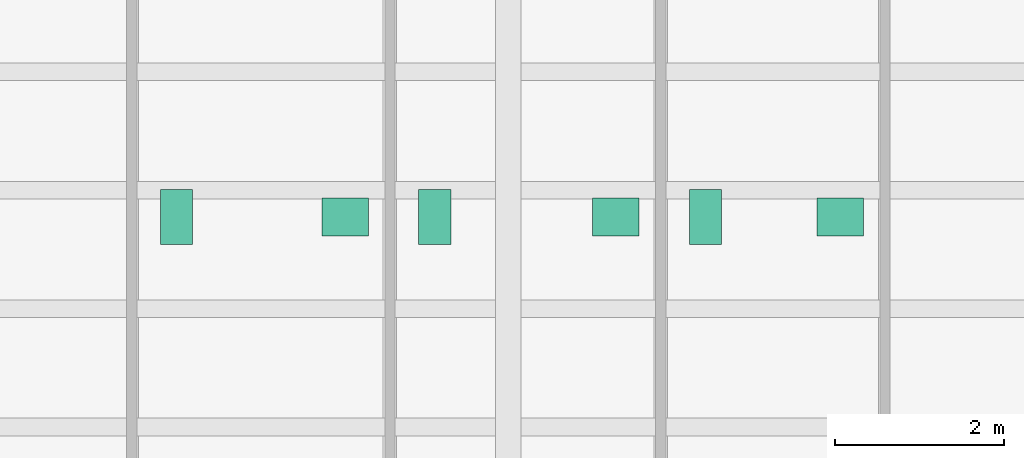
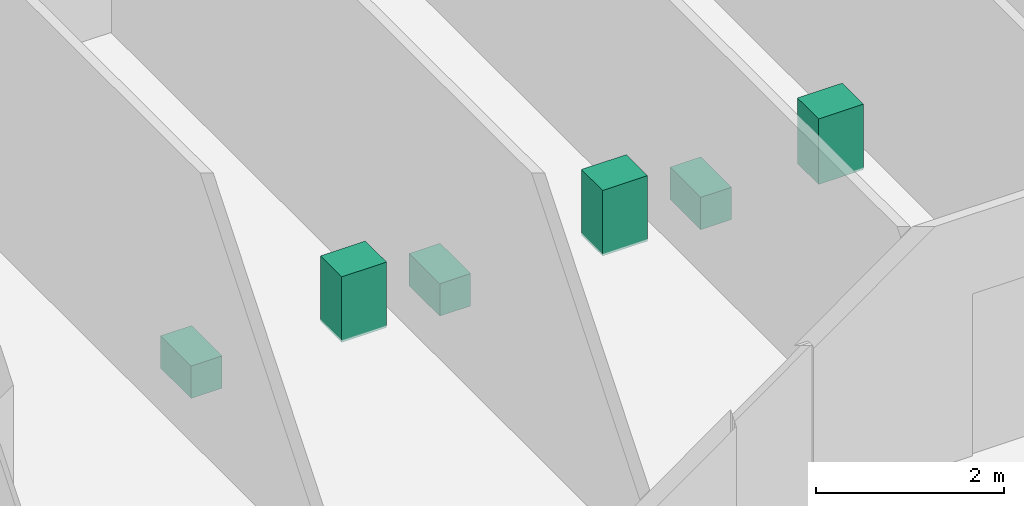
# One storey, part 11 of 11: 6 sanitary terminals.
"""IFC4 building model written with IfcOpenShell, lengths in metres."""

from ifc_helpers import new_model, si_unit, direction, frame, origin, origin_2d, place, context, subcontext, project, spatial, rectangle, extrude, material, type_object, element, save


model = new_model("IFC4")

# Units and contexts
model_context = context("Model", 3, precision=1e-05, world=origin(), true_north=direction((0.0, 1.0)))
body_context = subcontext(model_context, "Body", "Model", "MODEL_VIEW")
ifc_project = project(units=[si_unit("LENGTHUNIT", "METRE"), si_unit("AREAUNIT", "SQUARE_METRE"), si_unit("VOLUMEUNIT", "CUBIC_METRE"), si_unit("PLANEANGLEUNIT", "RADIAN"), si_unit("MASSUNIT", "GRAM", prefix="KILO")], contexts=[model_context])

# Site, building, storey
site_placement = place(None, origin())
site = spatial("IfcSite", under=ifc_project, at=site_placement, CompositionType="ELEMENT")
building_placement = place(site_placement, origin())
building = spatial("IfcBuilding", under=site, at=building_placement, Name="Kranthara Brick Stack", CompositionType="ELEMENT")
storey_placement = place(building_placement, frame((0.0, 0.0, 94.5)))
storey = spatial("IfcBuildingStorey", under=building, at=storey_placement, Name="L23", CompositionType="ELEMENT", Elevation=94.5)

# Sanitary terminals
ifc_material_1 = material(Name="Vitreous china sanitary porcelain", Category="other")
sanitary_terminal_type_1 = type_object("IfcSanitaryTerminalType", Name="SAN-BASIN", PredefinedType="WASHHANDBASIN", material=ifc_material_1)
for number, where, z_axis, x_axis, name in (
    (1, (26.070068359375, 29.985107421875, 0.0), (0.0, 0.0, 1.0), (1.0, 0.0, 0.0), "L23 Washbasin 71"),
    (2, (29.27001953125, 29.985107421875, 0.0), (0.0, 0.0, 1.0), (1.0, 0.0, 0.0), "L23 Washbasin 72"),
    (3, (31.919921875, 29.985107421875, 0.0), (0.0, 0.0, 1.0), (1.0, 0.0, 0.0), "L23 Washbasin 73"),
):
    element("IfcSanitaryTerminal", number, at=place(storey_placement, frame(where, z_axis=z_axis, x_axis=x_axis)), inside=storey, type_object=sanitary_terminal_type_1, Name=name, PredefinedType="WASHHANDBASIN", context=body_context, shape_type="SweptSolid", body=[
        extrude(rectangle(XDim=0.550048828125, YDim=0.449951171875, at=origin_2d()), origin(), (0.0, 0.0, 1.0), 0.85009765625),
    ])
ifc_material_2 = material(Name="Vitreous china sanitary porcelain", Category="other")
sanitary_terminal_type_2 = type_object("IfcSanitaryTerminalType", Name="SAN-WC-PAN", PredefinedType="TOILETPAN", material=ifc_material_2)
for number, where, z_axis, x_axis, name in (
    (4, (24.080078125, 29.985107421875, 0.0), (0.0, 0.0, 1.0), (1.0, 0.0, 0.0), "L23 WC Pan 71"),
    (5, (27.1298828125, 29.985107421875, 0.0), (0.0, 0.0, 1.0), (1.0, 0.0, 0.0), "L23 WC Pan 72"),
    (6, (30.330078125, 29.985107421875, 0.0), (0.0, 0.0, 1.0), (1.0, 0.0, 0.0), "L23 WC Pan 73"),
):
    element("IfcSanitaryTerminal", number, at=place(storey_placement, frame(where, z_axis=z_axis, x_axis=x_axis)), inside=storey, type_object=sanitary_terminal_type_2, Name=name, PredefinedType="TOILETPAN", context=body_context, shape_type="SweptSolid", body=[
        extrude(rectangle(XDim=0.3798828125, YDim=0.64990234375, at=origin_2d()), origin(), (0.0, 0.0, 1.0), 0.419921875),
    ])

save(model, "model.ifc")
